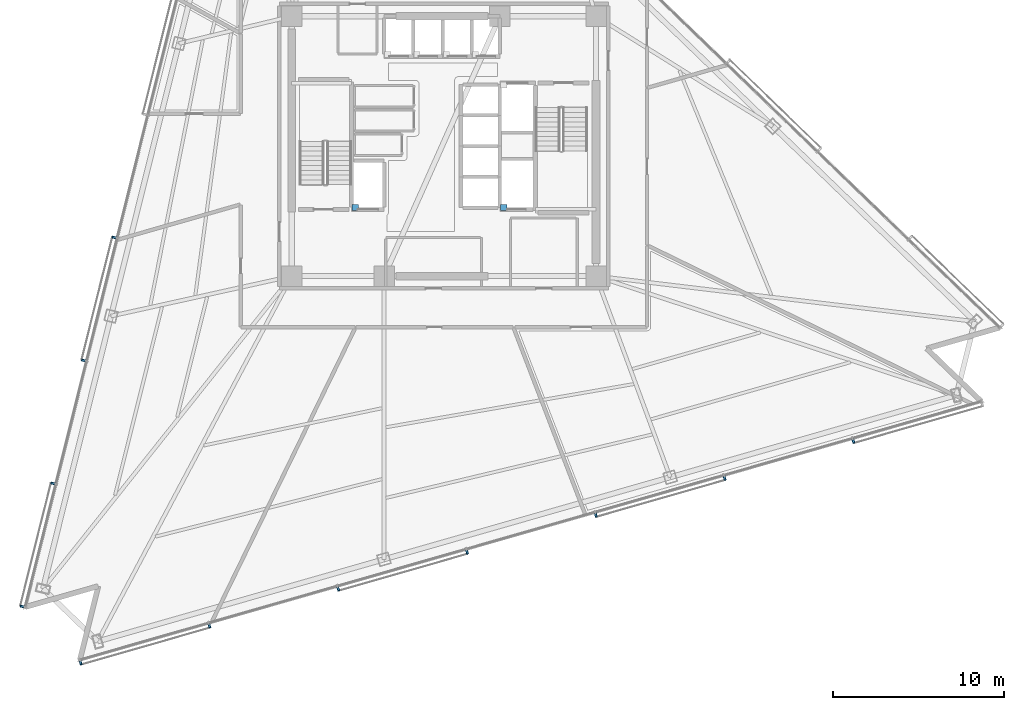
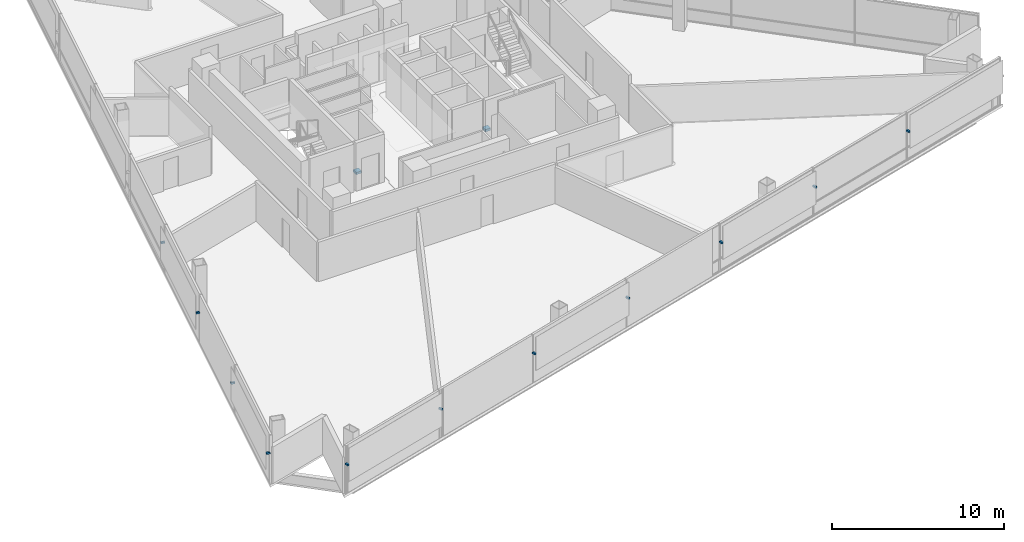
# One storey, part 12 of 17: 13 discrete accessories.
"""IFC4 building model written with IfcOpenShell, lengths in metres."""

from ifc_helpers import new_model, si_unit, direction, frame, origin, origin_2d, place, context, subcontext, project, spatial, rectangle, extrude, material, type_object, element, save


model = new_model("IFC4")

# Units and contexts
model_context = context("Model", 3, precision=1e-05, world=origin(), true_north=direction((0.0, 1.0)))
body_context = subcontext(model_context, "Body", "Model", "MODEL_VIEW")
ifc_project = project(units=[si_unit("LENGTHUNIT", "METRE"), si_unit("AREAUNIT", "SQUARE_METRE"), si_unit("VOLUMEUNIT", "CUBIC_METRE"), si_unit("PLANEANGLEUNIT", "RADIAN"), si_unit("MASSUNIT", "GRAM", prefix="KILO")], contexts=[model_context])

# Site, building, storey
site_placement = place(None, origin())
site = spatial("IfcSite", under=ifc_project, at=site_placement, CompositionType="ELEMENT")
building_placement = place(site_placement, origin())
building = spatial("IfcBuilding", under=site, at=building_placement, Name="Tharavind Bronze Gate", CompositionType="ELEMENT")
storey_placement = place(building_placement, frame((0.0, 0.0, 93.300048828125)))
storey = spatial("IfcBuildingStorey", under=building, at=storey_placement, Name="L23", CompositionType="ELEMENT", Elevation=93.300048828125)

# Discrete accessories
ifc_material_1 = material(Name="Galvanised Steel S355", Category="steel")
discrete_accessory_type_1 = type_object("IfcDiscreteAccessoryType", Name="LIFT GUIDE RAIL BRACKET", PredefinedType="BRACKET", material=ifc_material_1)
for number, where, z_axis, x_axis, name in (
    (1, (-5.179931640625, -3.580078125, 1.1201171875), (0.0, 0.0, 1.0), (1.0, 0.0, 0.0), "Lift FFL1 guide rail bracket at L23"),
    (2, (3.5, -3.580078125, 1.1201171875), (0.0, 0.0, 1.0), (1.0, 0.0, 0.0), "Lift SVL1 guide rail bracket at L23"),
):
    element("IfcDiscreteAccessory", number, at=place(storey_placement, frame(where, z_axis=z_axis, x_axis=x_axis)), inside=storey, type_object=discrete_accessory_type_1, Name=name, PredefinedType="BRACKET", context=body_context, shape_type="SweptSolid", body=[
        extrude(rectangle(XDim=0.360107421875, YDim=0.360107421875, at=origin_2d()), origin(), (0.0, 0.0, 1.0), 0.159912109375),
    ])
ifc_material_2 = material(Name="Stainless Steel 316", Category="steel")
discrete_accessory_type_2 = type_object("IfcDiscreteAccessoryType", Name="SOLAR SCREEN STANDOFF BRACKET", PredefinedType="BRACKET", material=ifc_material_2)
for number, where, z_axis, x_axis, name in (
    (3, (-19.282958984375, -5.338134765625, 2.094970703125), (0.0, 0.0, 1.0), (-0.2419218956, -0.970295726276, 0.0), "CW-L23-S1 solar screen bracket 5.1"),
    (4, (-21.07666015625, -12.531982421875, 2.094970703125), (0.0, 0.0, 1.0), (-0.2419218956, -0.970295726276, 0.0), "CW-L23-S1 solar screen bracket 5.2"),
    (5, (-22.870361328125, -19.72607421875, 2.094970703125), (0.0, 0.0, 1.0), (-0.2419218956, -0.970295726276, 0.0), "CW-L23-S1 solar screen bracket 7.1"),
    (6, (-24.6640625, -26.920166015625, 2.094970703125), (0.0, 0.0, 1.0), (-0.2419218956, -0.970295726276, 0.0), "CW-L23-S1 solar screen bracket 7.2"),
    (7, (-21.245849609375, -30.220703125, 2.094970703125), (0.0, 0.0, 1.0), (0.961261695938, 0.275637355817, 0.0), "CW-L23-S2 solar screen bracket 1.1"),
    (8, (-13.71240234375, -28.060546875, 2.094970703125), (0.0, 0.0, 1.0), (0.961261695938, 0.275637355817, 0.0), "CW-L23-S2 solar screen bracket 1.2"),
    (9, (-6.178955078125, -25.900390625, 2.094970703125), (0.0, 0.0, 1.0), (0.961261695938, 0.275637355817, 0.0), "CW-L23-S2 solar screen bracket 3.1"),
    (10, (1.3544921875, -23.740234375, 2.094970703125), (0.0, 0.0, 1.0), (0.961261695938, 0.275637355817, 0.0), "CW-L23-S2 solar screen bracket 3.2"),
    (11, (8.887939453125, -21.580078125, 2.094970703125), (0.0, 0.0, 1.0), (0.961261695938, 0.275637355817, 0.0), "CW-L23-S2 solar screen bracket 5.1"),
    (12, (16.42138671875, -19.419921875, 2.094970703125), (0.0, 0.0, 1.0), (0.961261695938, 0.275637355817, 0.0), "CW-L23-S2 solar screen bracket 5.2"),
    (13, (23.954833984375, -17.259765625, 2.094970703125), (0.0, 0.0, 1.0), (0.961261695938, 0.275637355817, 0.0), "CW-L23-S2 solar screen bracket 7.1"),
):
    element("IfcDiscreteAccessory", number, at=place(storey_placement, frame(where, z_axis=z_axis, x_axis=x_axis)), inside=storey, type_object=discrete_accessory_type_2, Name=name, PredefinedType="BRACKET", context=body_context, shape_type="SweptSolid", body=[
        extrude(rectangle(XDim=0.1201171875, YDim=0.239990234375, at=origin_2d()), origin(), (0.0, 0.0, 1.0), 0.1201171875),
    ])

save(model, "model.ifc")
